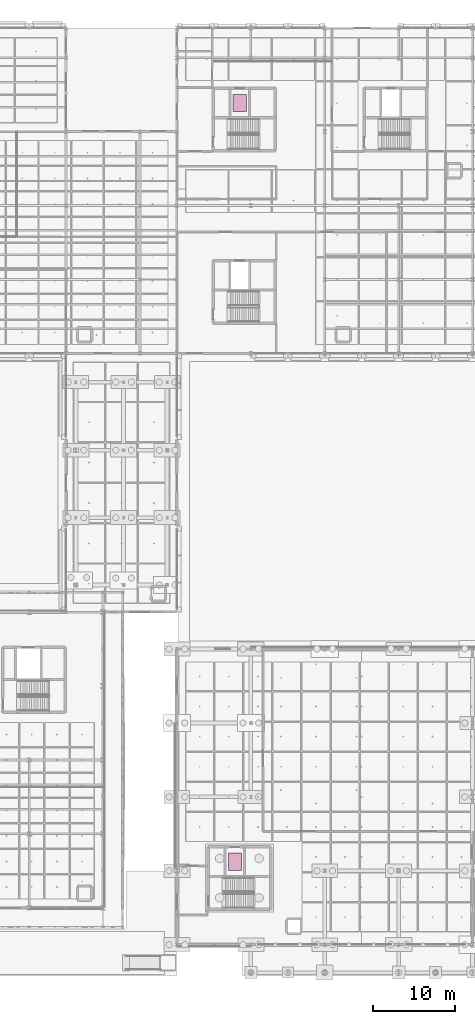
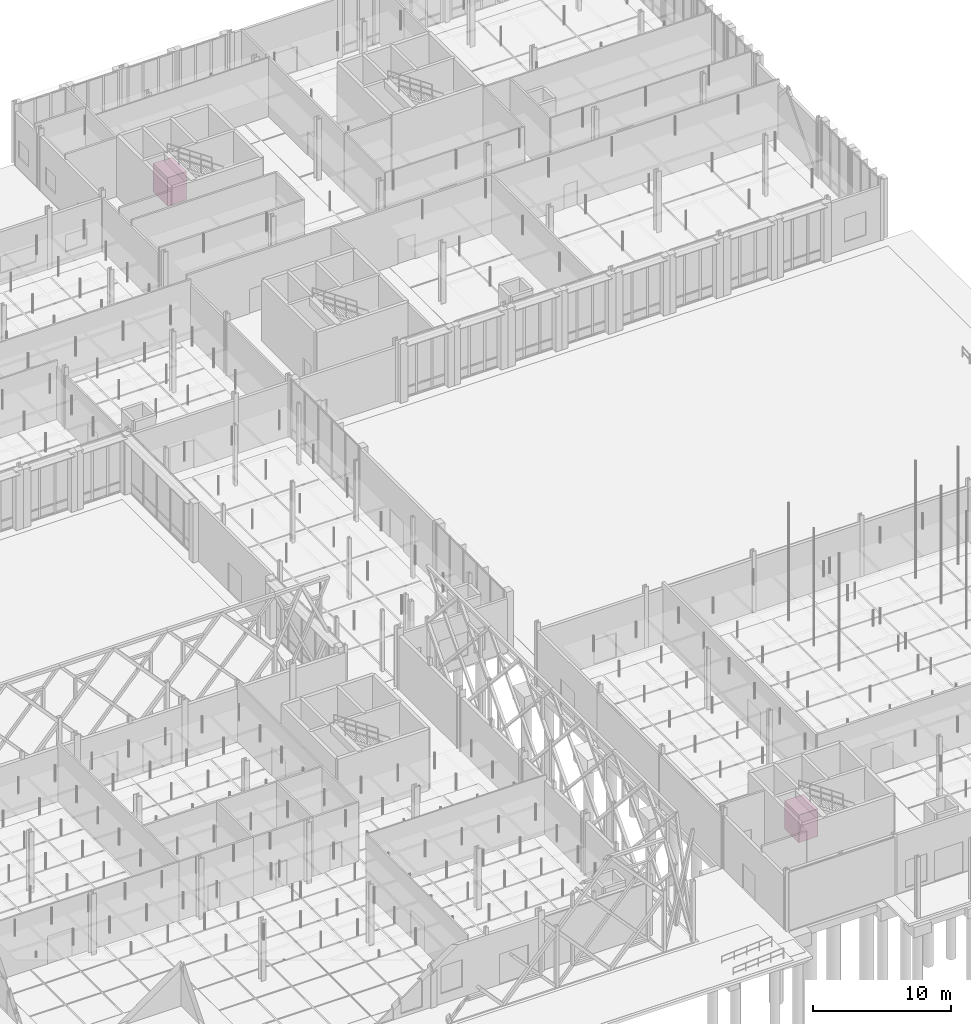
# One storey, part 180 of 180: 2 transport elements.
"""IFC4 building model written with IfcOpenShell, lengths in metres."""

from ifc_helpers import new_model, si_unit, direction, frame, origin, origin_2d, place, context, subcontext, project, spatial, rectangle, extrude, material, type_object, element, save


model = new_model("IFC4")

# Units and contexts
model_context = context("Model", 3, precision=1e-05, world=origin(), true_north=direction((0.0, 1.0)))
body_context = subcontext(model_context, "Body", "Model", "MODEL_VIEW")
ifc_project = project(units=[si_unit("LENGTHUNIT", "METRE"), si_unit("AREAUNIT", "SQUARE_METRE"), si_unit("VOLUMEUNIT", "CUBIC_METRE"), si_unit("PLANEANGLEUNIT", "RADIAN"), si_unit("MASSUNIT", "GRAM", prefix="KILO"), si_unit("THERMODYNAMICTEMPERATUREUNIT", "KELVIN"), si_unit("POWERUNIT", "WATT")], contexts=[model_context])

# Site, building, storey
site_placement = place(None, origin())
site = spatial("IfcSite", under=ifc_project, at=site_placement, CompositionType="ELEMENT")
building_placement = place(site_placement, origin())
building = spatial("IfcBuilding", under=site, at=building_placement, Name="Tallowbark Science Centre", CompositionType="ELEMENT")
storey_placement = place(building_placement, origin())
storey = spatial("IfcBuildingStorey", under=building, at=storey_placement, Name="L00", CompositionType="ELEMENT", Elevation=0.0)

# Transport elements
ifc_material = material(Name="Brushed Grade 304 Stainless Steel Lift Car Cab", Category="steel")
transport_element_type_1 = type_object("IfcTransportElementType", Name="LFT-GAL-2000", PredefinedType="ELEVATOR", material=ifc_material)
transport_element_1_placement = place(storey_placement, frame((120.14990234375, 102.485107421875, 0.0), z_axis=(0.0, 0.0, 1.0), x_axis=(1.0, 0.0, 0.0)))
element("IfcTransportElement", 1, at=transport_element_1_placement, inside=storey, type_object=transport_element_type_1, Name="Lift LF-04 (L00-L05)", PredefinedType="ELEVATOR", context=body_context, shape_type="SweptSolid", body=[
    extrude(rectangle(XDim=1.60009765625, YDim=2.10009765625, at=origin_2d()), origin(), (0.0, 0.0, 1.0), 2.5),
])
transport_element_type_2 = type_object("IfcTransportElementType", Name="LFT-THT-1600", PredefinedType="ELEVATOR", material=ifc_material)
transport_element_2_placement = place(storey_placement, frame((119.550048828125, 10.0849609375, 0.0), z_axis=(0.0, 0.0, 1.0), x_axis=(1.0, 0.0, 0.0)))
element("IfcTransportElement", 2, at=transport_element_2_placement, inside=storey, type_object=transport_element_type_2, Name="Lift LF-05 (L00-L03)", PredefinedType="ELEVATOR", context=body_context, shape_type="SweptSolid", body=[
    extrude(rectangle(XDim=1.60009765625, YDim=2.10009765625, at=origin_2d()), origin(), (0.0, 0.0, 1.0), 2.449951171875),
])

save(model, "model.ifc")
